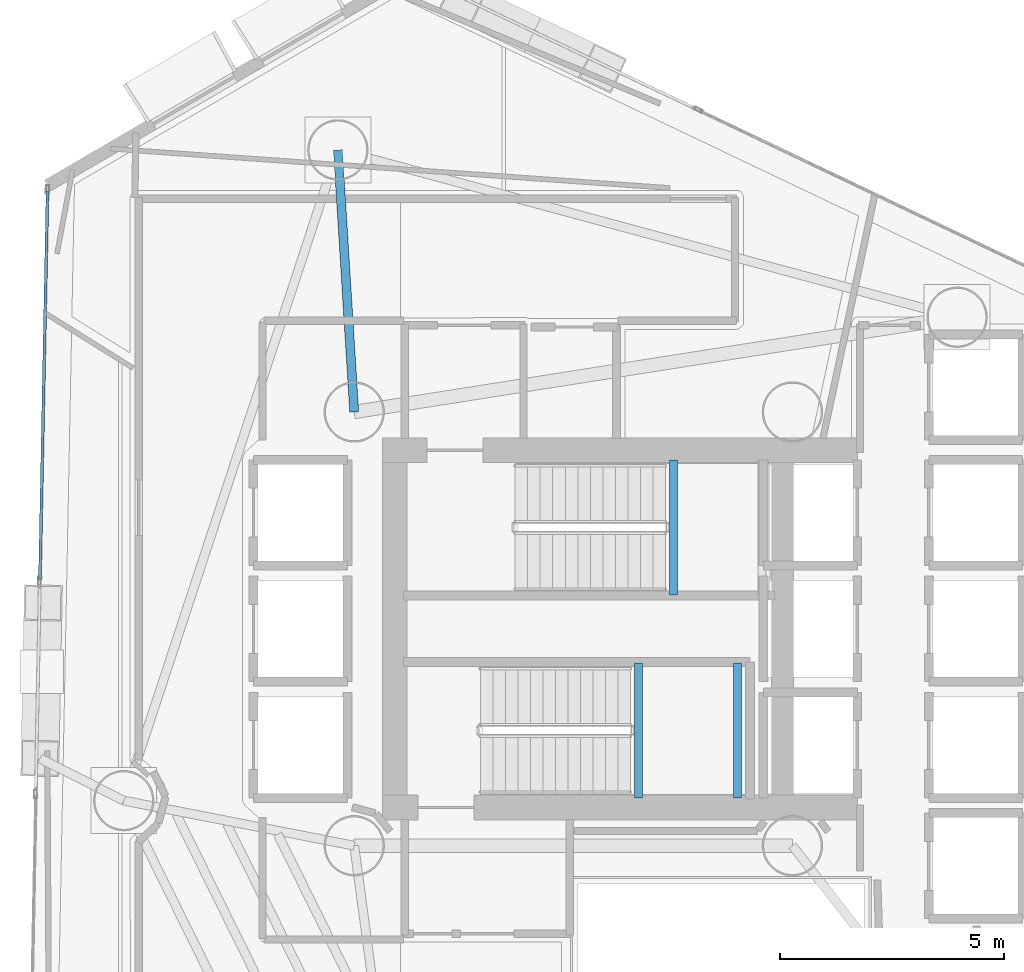
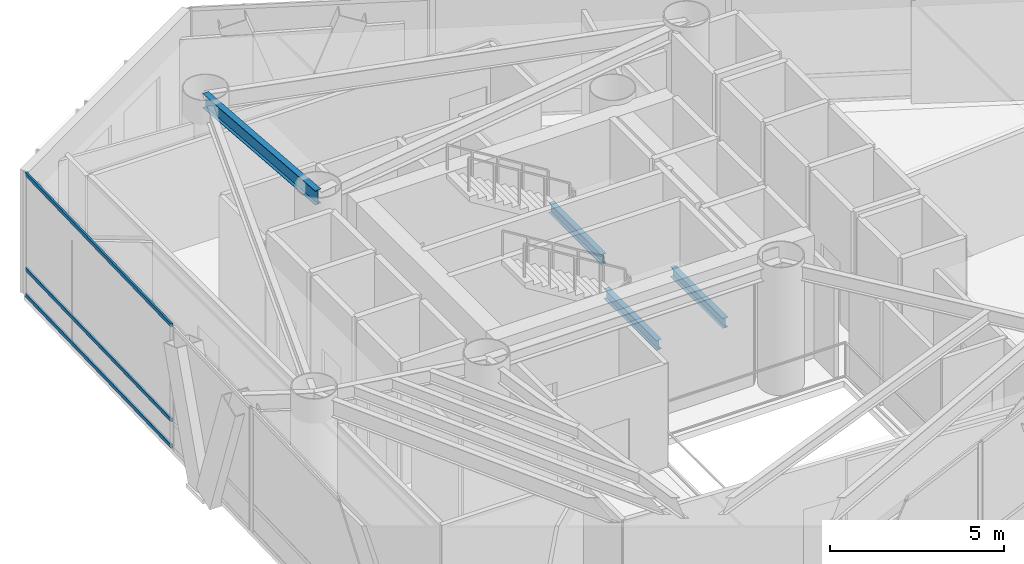
# One storey, part 8 of 21: 4 beams, 3 members, 1 element without a shape of its own.
"""IFC4 building model written with IfcOpenShell, lengths in metres."""

from ifc_helpers import new_model, si_unit, direction, frame, origin, origin_2d, place, context, subcontext, project, spatial, hollow_rectangle, i_section, extrude, material, layer, layer_set, material_profile, profile_set, type_object, element, aggregate, save


model = new_model("IFC4")

# Units and contexts
model_context = context("Model", 3, precision=1e-05, world=origin(), true_north=direction((0.0, 1.0)))
body_context = subcontext(model_context, "Body", "Model", "MODEL_VIEW")
ifc_project = project(units=[si_unit("LENGTHUNIT", "METRE"), si_unit("AREAUNIT", "SQUARE_METRE"), si_unit("VOLUMEUNIT", "CUBIC_METRE"), si_unit("PLANEANGLEUNIT", "RADIAN"), si_unit("MASSUNIT", "GRAM", prefix="KILO")], contexts=[model_context])

# Site, building, storey
site_placement = place(None, origin())
site = spatial("IfcSite", under=ifc_project, at=site_placement, CompositionType="ELEMENT")
building_placement = place(site_placement, origin())
building = spatial("IfcBuilding", under=site, at=building_placement, Name="Qianvela Tower", CompositionType="ELEMENT")
storey_placement = place(building_placement, frame((0.0, 0.0, 143.10009765625)))
storey = spatial("IfcBuildingStorey", under=building, at=storey_placement, Name="L36", CompositionType="ELEMENT", Elevation=143.10009765625)

# Beams
ifc_material_1 = material(Name="Steel Q355B", Category="steel")
ifc_material_profile_1 = material_profile(ifc_material_1, i_section(OverallWidth=0.175048828125, OverallDepth=0.35009765625, WebThickness=0.007080078125, FlangeThickness=0.010986328125, at=origin_2d()), Name="HN350x175x7x11")
ifc_profile_set_1 = profile_set([ifc_material_profile_1], Name="Steel Q355B")
beam_type_1 = type_object("IfcBeamType", Name="BM-HN350-JOIST", PredefinedType="JOIST", material=ifc_profile_set_1)
for number, where, z_axis, x_axis, name in (
    (1, (35.739990234375, 29.4599609375, 1.875), (0.0, 1.0, 0.0), (-1.0, 0.0, 0.0), "L36 Stair ST-1 Landing Support Beam 1.1"),
    (2, (34.9599609375, 24.919921875, 1.875), (0.0, 1.0, 0.0), (-1.0, 0.0, 0.0), "L36 Stair ST-2 Landing Support Beam 1.1"),
    (3, (37.169921875, 24.919921875, 1.875), (0.0, 1.0, 0.0), (-1.0, 0.0, 0.0), "L36 Stair ST-2 Landing Support Beam 1.2"),
):
    element("IfcBeam", number, at=place(storey_placement, frame(where, z_axis=z_axis, x_axis=x_axis)), inside=storey, type_object=beam_type_1, Name=name, PredefinedType="JOIST", context=body_context, shape_type="SweptSolid", body=[
        extrude(i_section(OverallWidth=0.175048828125, OverallDepth=0.35009765625, WebThickness=0.007080078125, FlangeThickness=0.010986328125, at=origin_2d()), origin(), (0.0, 0.0, 1.0), 3.02001953125),
    ])
ifc_material_2 = material(Name="Steel Q355B", Category="steel")
ifc_material_profile_2 = material_profile(ifc_material_2, i_section(OverallWidth=0.199951171875, OverallDepth=0.5, WebThickness=0.010009765625, FlangeThickness=0.01611328125, at=origin_2d()), Name="HN500x200x10x16")
ifc_profile_set_2 = profile_set([ifc_material_profile_2], Name="Steel Q355B")
beam_type_2 = type_object("IfcBeamType", Name="BM-HN500-GIRD", PredefinedType="BEAM", material=ifc_profile_set_2)
beam_placement = place(storey_placement, frame((28.60009765625, 33.550048828125, 4.06787109375), z_axis=(-0.0621556847, 0.998066466153, 0.0), x_axis=(-0.998066466153, -0.0621556847, 0.0)))
element("IfcBeam", 4, at=beam_placement, inside=storey, type_object=beam_type_2, Name="L36 Radial Primary Floor Girder 3", PredefinedType="BEAM", context=body_context, shape_type="SweptSolid", body=[
    extrude(i_section(OverallWidth=0.199951171875, OverallDepth=0.5, WebThickness=0.010009765625, FlangeThickness=0.01611328125, at=origin_2d()), origin(), (0.0, 0.0, 1.0), 5.872314453125),
])

# Curtain wall, members
ifc_material_3 = material(Name="Anodised Architectural Aluminium and Low-E Glass", Category="aluminium")
ifc_layer = layer(ifc_material_3, 0.18994140625)
ifc_layer_set = layer_set([ifc_layer], Name="Anodised Architectural Aluminium and Low-E Glass")
curtain_wall_type = type_object("IfcCurtainWallType", Name="CW-SKYLOBBY", PredefinedType="USERDEFINED", material=ifc_layer_set)
curtain_wall_placement = place(storey_placement, origin())
curtain_wall = element("IfcCurtainWall", 5, at=curtain_wall_placement, inside=storey, type_object=curtain_wall_type, Name="L36 CW-SKYLOBBY Curtain Wall 04A", ObjectType="CURTAIN_WALL_SYSTEM", PredefinedType="USERDEFINED")
ifc_material_4 = material(Name="Anodised Architectural Aluminium 6063-T6", Category="aluminium")
ifc_material_profile_3 = material_profile(ifc_material_4, hollow_rectangle(XDim=0.06494140625, YDim=0.1298828125, WallThickness=0.00439453125, at=origin_2d()), Name="ALU-TRAN-65x130")
ifc_profile_set_3 = profile_set([ifc_material_profile_3], Name="Anodised Architectural Aluminium 6063-T6")
member_type = type_object("IfcMemberType", Name="CW-SKYLOBBY-TRAN", PredefinedType="USERDEFINED", material=ifc_profile_set_3)
member_1_placement = place(storey_placement, frame((21.74072265625, 38.494384765625, 0.032470703125), z_axis=(-0.019525880224, -0.999809351827, 0.0), x_axis=(0.999809351827, -0.019525880224, 0.0)))
member_1 = element("IfcMember", 6, at=member_1_placement, type_object=member_type, Name="CW-7 transom 1.1", ObjectType="TRANSOM", PredefinedType="USERDEFINED", context=body_context, shape_type="SweptSolid", body=[
    extrude(hollow_rectangle(XDim=0.06494140625, YDim=0.1298828125, WallThickness=0.00439453125, at=origin_2d()), origin(), (0.0, 0.0, 1.0), 8.68994140625),
])
member_2_placement = place(storey_placement, frame((21.74072265625, 38.494384765625, 0.949951171875), z_axis=(-0.019525880224, -0.999809351827, 0.0), x_axis=(0.999809351827, -0.019525880224, 0.0)))
member_2 = element("IfcMember", 7, at=member_2_placement, type_object=member_type, Name="CW-7 transom 1.2", ObjectType="TRANSOM", PredefinedType="USERDEFINED", context=body_context, shape_type="SweptSolid", body=[
    extrude(hollow_rectangle(XDim=0.06494140625, YDim=0.1298828125, WallThickness=0.00439453125, at=origin_2d()), origin(), (0.0, 0.0, 1.0), 8.68994140625),
])
member_3_placement = place(storey_placement, frame((21.74072265625, 38.494384765625, 4.287353515625), z_axis=(-0.019525880224, -0.999809351827, 0.0), x_axis=(0.999809351827, -0.019525880224, 0.0)))
member_3 = element("IfcMember", 8, at=member_3_placement, type_object=member_type, Name="CW-7 transom 1.3", ObjectType="TRANSOM", PredefinedType="USERDEFINED", context=body_context, shape_type="SweptSolid", body=[
    extrude(hollow_rectangle(XDim=0.06494140625, YDim=0.1298828125, WallThickness=0.00439453125, at=origin_2d()), origin(), (0.0, 0.0, 1.0), 8.68994140625),
])
aggregate(curtain_wall, [member_1, member_2, member_3])

save(model, "model.ifc")
